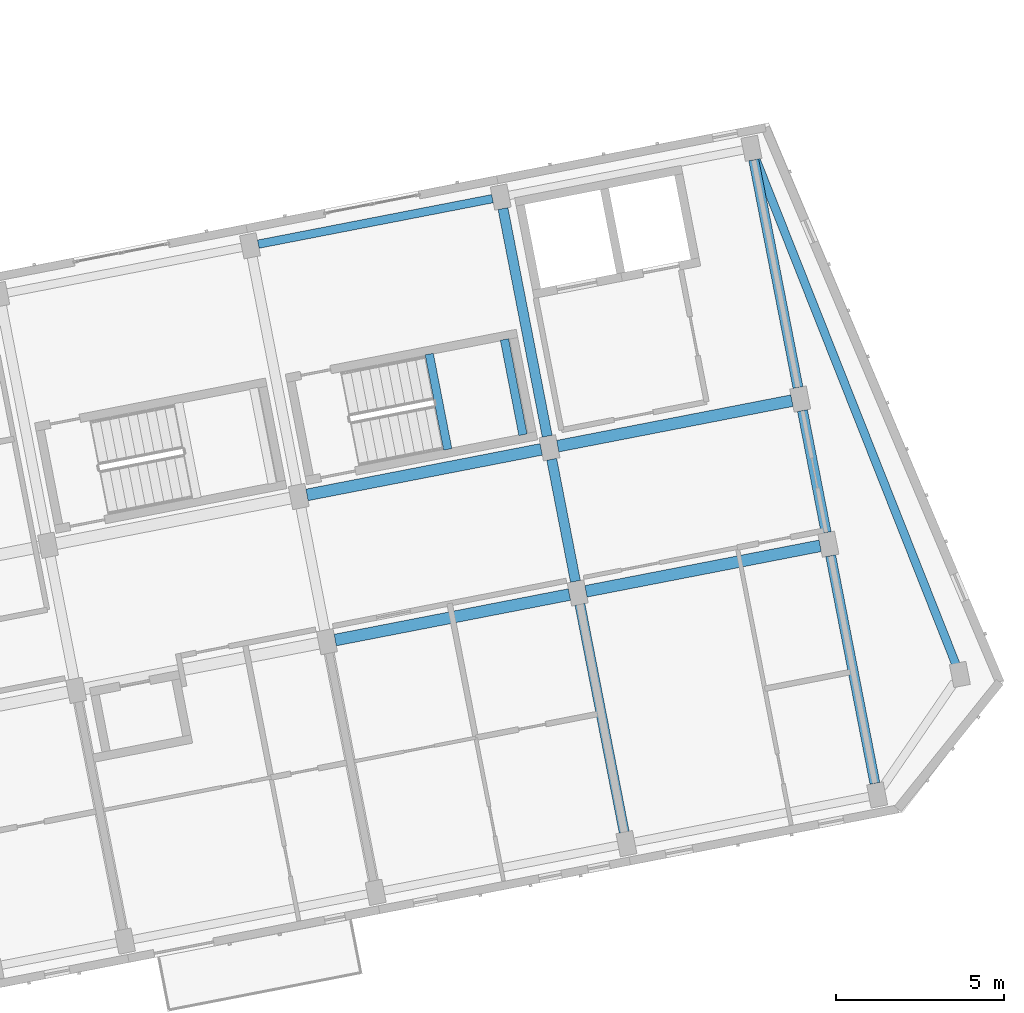
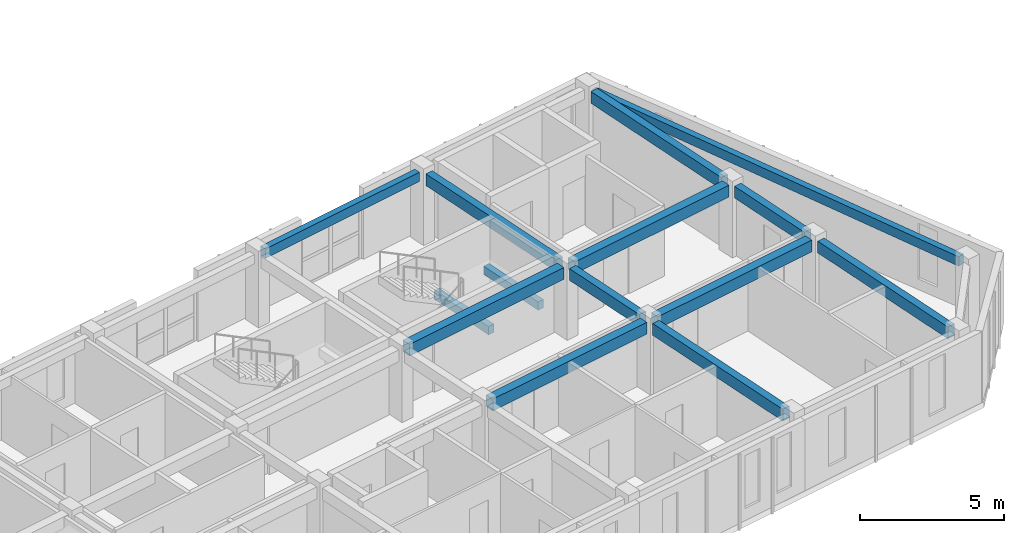
# One storey, part 10 of 74: 14 beams.
"""IFC4 building model written with IfcOpenShell, lengths in metres."""

from ifc_helpers import new_model, si_unit, direction, frame, origin, origin_2d, place, context, subcontext, project, spatial, rectangle, extrude, material, material_profile, profile_set, type_object, element, save


model = new_model("IFC4")

# Units and contexts
model_context = context("Model", 3, precision=1e-05, world=origin(), true_north=direction((0.0, 1.0)))
body_context = subcontext(model_context, "Body", "Model", "MODEL_VIEW")
ifc_project = project(units=[si_unit("LENGTHUNIT", "METRE"), si_unit("AREAUNIT", "SQUARE_METRE"), si_unit("VOLUMEUNIT", "CUBIC_METRE"), si_unit("PLANEANGLEUNIT", "RADIAN"), si_unit("MASSUNIT", "GRAM", prefix="KILO")], contexts=[model_context])

# Site, building, storey
site_placement = place(None, origin())
site = spatial("IfcSite", under=ifc_project, at=site_placement, CompositionType="ELEMENT")
building_placement = place(site_placement, origin())
building = spatial("IfcBuilding", under=site, at=building_placement, Name="Kestramere Prow Commons", CompositionType="ELEMENT")
storey_placement = place(building_placement, frame((0.0, 0.0, 11.64990234375)))
storey = spatial("IfcBuildingStorey", under=building, at=storey_placement, Name="L03", CompositionType="ELEMENT", Elevation=11.64990234375)

# Beams
ifc_material_1 = material(Name="Precast concrete C40/50", Category="concrete")
ifc_material_profile_1 = material_profile(ifc_material_1, rectangle(XDim=0.35009765625, YDim=0.5, at=origin_2d()), Name="PC-BM 350x500")
ifc_profile_set_1 = profile_set([ifc_material_profile_1], Name="Precast concrete C40/50")
beam_type_1 = type_object("IfcBeamType", Name="BM-D1 PC-BM 350x500", PredefinedType="BEAM", material=ifc_profile_set_1)
beam_1_placement = place(storey_placement, frame((147.03662109375, 47.30859375, 2.75), z_axis=(0.98162827229, 0.190803393686, 0.0), x_axis=(-0.190803393686, 0.98162827229, 0.0)))
element("IfcBeam", 1, at=beam_1_placement, inside=storey, type_object=beam_type_1, Name="Block D L03 Longitudinal Beam 2-5", PredefinedType="BEAM", context=body_context, shape_type="SweptSolid", body=[
    extrude(rectangle(XDim=0.35009765625, YDim=0.5, at=origin_2d()), origin(), (0.0, 0.0, 1.0), 7.10009765625),
])
for number, where, z_axis, x_axis, name in (
    (2, (154.4970703125, 48.7587890625, 2.75), (0.981627020401, 0.190809834175, 0.0), (-0.190809834175, 0.981627020401, 0.0), "Block D L03 Longitudinal Beam 2-6"),
    (3, (146.197265625, 51.6279296875, 2.75), (0.981627020401, 0.190809834175, 0.0), (-0.190809834175, 0.981627020401, 0.0), "Block D L03 Longitudinal Beam 3-5"),
):
    element("IfcBeam", number, at=place(storey_placement, frame(where, z_axis=z_axis, x_axis=x_axis)), inside=storey, type_object=beam_type_1, Name=name, PredefinedType="BEAM", context=body_context, shape_type="SweptSolid", body=[
        extrude(rectangle(XDim=0.35009765625, YDim=0.5, at=origin_2d()), origin(), (0.0, 0.0, 1.0), 7.099853515625),
    ])
beam_2_placement = place(storey_placement, frame((153.657470703125, 53.077880859375, 2.75), z_axis=(0.98162827229, 0.190803393686, 0.0), x_axis=(-0.190803393686, 0.98162827229, 0.0)))
element("IfcBeam", 4, at=beam_2_placement, inside=storey, type_object=beam_type_1, Name="Block D L03 Longitudinal Beam 3-6", PredefinedType="BEAM", context=body_context, shape_type="SweptSolid", body=[
    extrude(rectangle(XDim=0.35009765625, YDim=0.5, at=origin_2d()), origin(), (0.0, 0.0, 1.0), 7.10009765625),
])
ifc_material_2 = material(Name="Concrete C40/50", Category="concrete")
ifc_material_profile_2 = material_profile(ifc_material_2, rectangle(XDim=0.25, YDim=0.35009765625, at=origin_2d()), Name="PC-BM 250x350")
ifc_profile_set_2 = profile_set([ifc_material_profile_2], Name="Concrete C40/50")
beam_type_2 = type_object("IfcBeamType", Name="BM-ST-TRIM", PredefinedType="BEAM", material=ifc_profile_set_2)
beam_3_placement = place(storey_placement, frame((150.3857421875, 52.98193359375, 1.25), z_axis=(-0.190833481473, 0.981622423516, 0.0), x_axis=(-0.981622423516, -0.190833481473, 0.0)))
element("IfcBeam", 5, at=beam_3_placement, inside=storey, type_object=beam_type_2, Name="ST-D2 L03 Landing Trimmer Beam 1A", PredefinedType="BEAM", context=body_context, shape_type="SweptSolid", body=[
    extrude(rectangle(XDim=0.25, YDim=0.35009765625, at=origin_2d()), origin(), (0.0, 0.0, 1.0), 2.89013671875),
])
beam_4_placement = place(storey_placement, frame((152.623779296875, 53.4169921875, 1.25), z_axis=(-0.190752078966, 0.981638245165, 0.0), x_axis=(-0.981638245165, -0.190752078966, 0.0)))
element("IfcBeam", 6, at=beam_4_placement, inside=storey, type_object=beam_type_2, Name="ST-D2 L03 Landing Trimmer Beam 1B", PredefinedType="BEAM", context=body_context, shape_type="SweptSolid", body=[
    extrude(rectangle(XDim=0.25, YDim=0.35009765625, at=origin_2d()), origin(), (0.0, 0.0, 1.0), 2.889892578125),
])
ifc_material_profile_3 = material_profile(ifc_material_1, rectangle(XDim=0.300048828125, YDim=0.5, at=origin_2d()), Name="PC-BM 300x500")
ifc_profile_set_3 = profile_set([ifc_material_profile_3], Name="Precast concrete C40/50")
beam_type_3 = type_object("IfcBeamType", Name="BM-TIE-01 PC-BM 300x500", PredefinedType="BEAM", material=ifc_profile_set_3)
beam_5_placement = place(storey_placement, frame((155.635009765625, 41.59423828125, 2.75), z_axis=(-0.190819465253, 0.981625148252, 0.0), x_axis=(-0.981625148252, -0.190819465253, 0.0)))
element("IfcBeam", 7, at=beam_5_placement, inside=storey, type_object=beam_type_3, Name="Block D L03 Transverse Beam 6-1", PredefinedType="BEAM", context=body_context, shape_type="SweptSolid", body=[
    extrude(rectangle(XDim=0.300048828125, YDim=0.5, at=origin_2d()), origin(), (0.0, 0.0, 1.0), 6.89990234375),
])
beam_6_placement = place(storey_placement, frame((154.184814453125, 49.0546875, 2.75), z_axis=(-0.19075839345, 0.981637018112, 0.0), x_axis=(-0.981637018112, -0.19075839345, 0.0)))
element("IfcBeam", 8, at=beam_6_placement, inside=storey, type_object=beam_type_3, Name="Block D L03 Transverse Beam 6-2", PredefinedType="BEAM", context=body_context, shape_type="SweptSolid", body=[
    extrude(rectangle(XDim=0.300048828125, YDim=0.5, at=origin_2d()), origin(), (0.0, 0.0, 1.0), 3.699951171875),
])
for number, where, z_axis, x_axis, name in (
    (9, (153.345458984375, 53.373779296875, 2.75), (-0.190819465253, 0.981625148252, 0.0), (-0.981625148252, -0.190819465253, 0.0), "Block D L03 Transverse Beam 6-3"),
    (10, (163.095458984375, 43.04443359375, 2.75), (-0.190819465253, 0.981625148252, 0.0), (-0.981625148252, -0.190819465253, 0.0), "Block D L03 Transverse Beam 7-1"),
):
    element("IfcBeam", number, at=place(storey_placement, frame(where, z_axis=z_axis, x_axis=x_axis)), inside=storey, type_object=beam_type_3, Name=name, PredefinedType="BEAM", context=body_context, shape_type="SweptSolid", body=[
        extrude(rectangle(XDim=0.300048828125, YDim=0.5, at=origin_2d()), origin(), (0.0, 0.0, 1.0), 6.89990234375),
    ])
beam_7_placement = place(storey_placement, frame((161.645263671875, 50.5048828125, 2.75), z_axis=(-0.190821974723, 0.981624660429, 0.0), x_axis=(-0.981624660429, -0.190821974723, 0.0)))
element("IfcBeam", 11, at=beam_7_placement, inside=storey, type_object=beam_type_3, Name="Block D L03 Transverse Beam 7-2", PredefinedType="BEAM", context=body_context, shape_type="SweptSolid", body=[
    extrude(rectangle(XDim=0.300048828125, YDim=0.5, at=origin_2d()), origin(), (0.0, 0.0, 1.0), 3.699951171875),
])
beam_8_placement = place(storey_placement, frame((160.8056640625, 54.823974609375, 2.75), z_axis=(-0.190819465253, 0.981625148252, 0.0), x_axis=(-0.981625148252, -0.190819465253, 0.0)))
element("IfcBeam", 12, at=beam_8_placement, inside=storey, type_object=beam_type_3, Name="Block D L03 Transverse Beam 7-3", PredefinedType="BEAM", context=body_context, shape_type="SweptSolid", body=[
    extrude(rectangle(XDim=0.300048828125, YDim=0.5, at=origin_2d()), origin(), (0.0, 0.0, 1.0), 6.89990234375),
])
ifc_material_profile_4 = material_profile(ifc_material_1, rectangle(XDim=0.25, YDim=0.39990234375, at=origin_2d()), Name="PC-SP 250x400")
ifc_profile_set_4 = profile_set([ifc_material_profile_4], Name="Precast concrete C40/50")
beam_type_4 = type_object("IfcBeamType", Name="SP-EXT-01 PC-SP 250x400", PredefinedType="SPANDREL", material=ifc_profile_set_4)
beam_9_placement = place(storey_placement, frame((159.525390625, 61.680419921875, 2.800048828125), z_axis=(0.368282919079, -0.929713768595, 0.0), x_axis=(0.929713768595, 0.368282919079, 0.0)))
element("IfcBeam", 13, at=beam_9_placement, inside=storey, type_object=beam_type_4, Name="Block D L03 Prow Facet Beam N", PredefinedType="SPANDREL", context=body_context, shape_type="SweptSolid", body=[
    extrude(rectangle(XDim=0.25, YDim=0.39990234375, at=origin_2d()), origin(), (0.0, 0.0, 1.0), 16.27783203125),
])
beam_10_placement = place(storey_placement, frame((144.7470703125, 59.088134765625, 2.800048828125), z_axis=(0.981627020401, 0.190809834175, 0.0), x_axis=(-0.190809834175, 0.981627020401, 0.0)))
element("IfcBeam", 14, at=beam_10_placement, inside=storey, type_object=beam_type_4, Name="Block D L03 Longitudinal Beam 4-5", PredefinedType="SPANDREL", context=body_context, shape_type="SweptSolid", body=[
    extrude(rectangle(XDim=0.25, YDim=0.39990234375, at=origin_2d()), origin(), (0.0, 0.0, 1.0), 7.099853515625),
])

save(model, "model.ifc")
